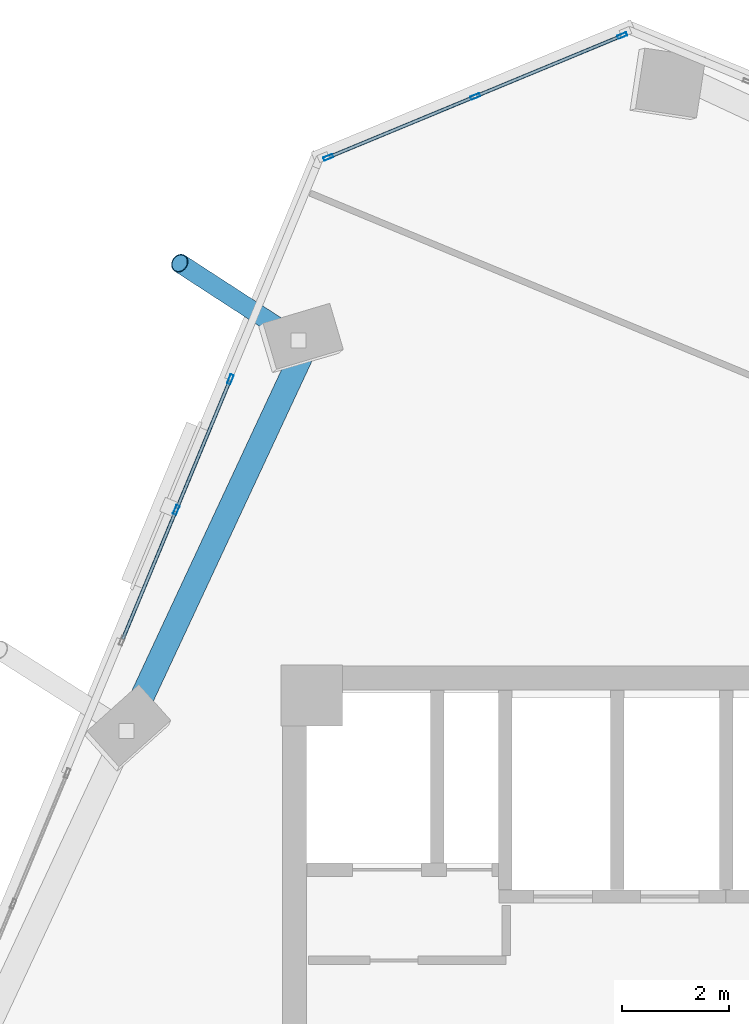
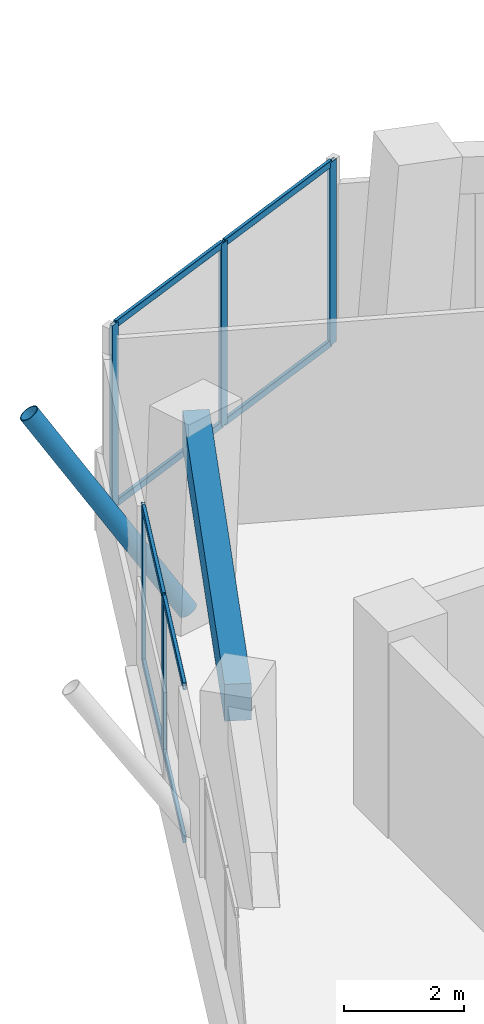
# One storey, part 10 of 22: 14 members, 1 beam, 2 elements without a shape of their own.
"""IFC4 building model written with IfcOpenShell, lengths in metres."""

from ifc_helpers import new_model, si_unit, direction, frame, origin, origin_2d, place, context, subcontext, project, spatial, rectangle, hollow_rectangle, hollow_circle, extrude, source, transform, mapped, material, material_profile, profile_set, type_object, element, aggregate, save


model = new_model("IFC4")

# Units and contexts
model_context = context("Model", 3, precision=1e-05, world=origin(), true_north=direction((0.0, 1.0)))
body_context = subcontext(model_context, "Body", "Model", "MODEL_VIEW")
ifc_project = project(units=[si_unit("LENGTHUNIT", "METRE"), si_unit("AREAUNIT", "SQUARE_METRE"), si_unit("VOLUMEUNIT", "CUBIC_METRE"), si_unit("PLANEANGLEUNIT", "RADIAN"), si_unit("MASSUNIT", "GRAM", prefix="KILO")], contexts=[model_context])

# Site, building, storey
site_placement = place(None, origin())
site = spatial("IfcSite", under=ifc_project, at=site_placement, CompositionType="ELEMENT")
building_placement = place(site_placement, origin())
building = spatial("IfcBuilding", under=site, at=building_placement, Name="Torre Montelarca", CompositionType="ELEMENT")
storey_placement = place(building_placement, frame((0.0, 0.0, 149.800048828125)))
storey = spatial("IfcBuildingStorey", under=building, at=storey_placement, Name="L33", CompositionType="ELEMENT", Elevation=149.800048828125)

# Member
ifc_material_1 = material(Name="Steel ASTM A500 Grade C", Category="steel")
ifc_material_profile_1 = material_profile(ifc_material_1, hollow_circle(Radius=0.177734375, WallThickness=0.015869140625, at=origin_2d()), Name="HSS355.6X15.9", Category="steel")
ifc_profile_set_1 = profile_set([ifc_material_profile_1], Name="Steel ASTM A500 Grade C")
member_type_1 = type_object("IfcMemberType", Name="MB-BR-CHS356-EXT", PredefinedType="BRACE", material=ifc_profile_set_1)
shared_shape_1 = source(origin(), body_context, "Body", "SweptSolid", [
    extrude(hollow_circle(Radius=0.177734375, WallThickness=0.015869140625, at=origin_2d()), origin(), (0.0, 0.0, 1.0), 4.7265625),
])
member_1_placement = place(storey_placement, frame((9.299072265625, 46.10888671875, 0.14990234375), z_axis=(-0.471180533964, 0.305941931886, 0.827277727687), x_axis=(-0.54458108508, -0.838708198227, 0.0)))
element("IfcMember", 1, at=member_1_placement, inside=storey, type_object=member_type_1, Name="L34 Sliding Tray Exterior Diagonal Raker Strut W3", PredefinedType="BRACE", context=body_context, shape_type="MappedRepresentation", body=[
    mapped(shared_shape_1, transform((0.0, 0.0, 0.0), scale=1.0)),
])

# Beam
ifc_material_2 = material(Name="Concrete C55/67", Category="concrete")
ifc_material_profile_2 = material_profile(ifc_material_2, rectangle(XDim=0.449951171875, YDim=0.75, at=origin_2d()), Name="RCB450X750", Category="concrete")
ifc_profile_set_2 = profile_set([ifc_material_profile_2], Name="Concrete C55/67")
beam_type = type_object("IfcBeamType", Name="BM-SP-RC750-EXT", PredefinedType="SPANDREL", material=ifc_profile_set_2)
shared_shape_2 = source(origin(), body_context, "Body", "SweptSolid", [
    extrude(rectangle(XDim=0.449951171875, YDim=0.75, at=origin_2d()), origin(), (0.0, 0.0, 1.0), 8.0),
])
beam_placement = place(storey_placement, frame((6.228759765625, 39.12109375, 3.5849609375), z_axis=(0.422608113797, 0.906312519031, 0.0), x_axis=(-0.906312519031, 0.422608113797, 0.0)))
element("IfcBeam", 2, at=beam_placement, inside=storey, type_object=beam_type, Name="L33 Grid Girder Y 32.0-40.0 at X=4.7", PredefinedType="SPANDREL", context=body_context, shape_type="MappedRepresentation", body=[
    mapped(shared_shape_2, transform((0.0, 0.0, 0.0), scale=1.0)),
])

# Curtain wall, members
ifc_material_3 = material(Name="Insulated low-E laminated glass", Category="glass")
curtain_wall_type = type_object("IfcCurtainWallType", Name="CW-SYS-Z2", PredefinedType="USERDEFINED", material=ifc_material_3)
curtain_wall_1_placement = place(storey_placement, origin())
curtain_wall_1 = element("IfcCurtainWall", 3, at=curtain_wall_1_placement, inside=storey, type_object=curtain_wall_type, Name="L33 Curtain Wall Run CW-T3-L33-E09-B1", ObjectType="UNITISED GLAZING", PredefinedType="USERDEFINED")
ifc_material_4 = material(Name="Anodised aluminium AA 6063-T6", Category="aluminium")
ifc_material_profile_3 = material_profile(ifc_material_4, hollow_rectangle(XDim=0.06494140625, YDim=0.139892578125, WallThickness=0.00390625, InnerFilletRadius=0.00390625, OuterFilletRadius=0.008056640625, at=origin_2d()), Name="ALU65X140X4", Category="aluminium")
ifc_profile_set_3 = profile_set([ifc_material_profile_3], Name="Anodised aluminium AA 6063-T6")
member_type_2 = type_object("IfcMemberType", Name="CWT-ALU140", PredefinedType="USERDEFINED", material=ifc_profile_set_3)
shared_shape_3 = source(origin(), body_context, "Body", "SweptSolid", [
    extrude(hollow_rectangle(XDim=0.06494140625, YDim=0.139892578125, WallThickness=0.00390625, InnerFilletRadius=0.00390625, OuterFilletRadius=0.008056640625, at=origin_2d()), origin(), (0.0, 0.0, 1.0), 2.918701171875),
])
member_2_placement = place(storey_placement, frame((15.3408203125, 51.809814453125, 0.032470703125), z_axis=(-0.92387920118, -0.382684232268, 0.0), x_axis=(0.382684232268, -0.92387920118, 0.0)))
member_2 = element("IfcMember", 4, at=member_2_placement, type_object=member_type_2, Name="CW transom 1.1", ObjectType="TRANSOM", PredefinedType="USERDEFINED", context=body_context, shape_type="MappedRepresentation", body=[
    mapped(shared_shape_3, transform((0.0, 0.0, 0.0), scale=1.0)),
])
member_3_placement = place(storey_placement, frame((15.3408203125, 51.809814453125, 3.6875), z_axis=(-0.92387920118, -0.382684232268, 0.0), x_axis=(0.382684232268, -0.92387920118, 0.0)))
member_3 = element("IfcMember", 5, at=member_3_placement, type_object=member_type_2, Name="CW transom 1.2", ObjectType="TRANSOM", PredefinedType="USERDEFINED", context=body_context, shape_type="MappedRepresentation", body=[
    mapped(shared_shape_3, transform((0.0, 0.0, 0.0), scale=1.0)),
])
member_4_placement = place(storey_placement, frame((12.584228515625, 50.66796875, 0.032470703125), z_axis=(-0.923908773038, -0.382612831859, 0.0), x_axis=(0.382612831859, -0.923908773038, 0.0)))
member_4 = element("IfcMember", 6, at=member_4_placement, type_object=member_type_2, Name="CW transom 2.1", ObjectType="TRANSOM", PredefinedType="USERDEFINED", context=body_context, shape_type="MappedRepresentation", body=[
    mapped(shared_shape_3, transform((0.0, 0.0, 0.0), scale=1.0)),
])
member_5_placement = place(storey_placement, frame((12.584228515625, 50.66796875, 3.6875), z_axis=(-0.923908773038, -0.382612831859, 0.0), x_axis=(0.382612831859, -0.923908773038, 0.0)))
member_5 = element("IfcMember", 7, at=member_5_placement, type_object=member_type_2, Name="CW transom 2.2", ObjectType="TRANSOM", PredefinedType="USERDEFINED", context=body_context, shape_type="MappedRepresentation", body=[
    mapped(shared_shape_3, transform((0.0, 0.0, 0.0), scale=1.0)),
])

curtain_wall_2_placement = place(storey_placement, origin())
curtain_wall_2 = element("IfcCurtainWall", 8, at=curtain_wall_2_placement, inside=storey, type_object=curtain_wall_type, Name="L33 Curtain Wall Run CW-T3-L33-E10-B1", ObjectType="UNITISED GLAZING", PredefinedType="USERDEFINED")
shared_shape_4 = source(origin(), body_context, "Body", "SweptSolid", [
    extrude(hollow_rectangle(XDim=0.06494140625, YDim=0.139892578125, WallThickness=0.00390625, InnerFilletRadius=0.00390625, OuterFilletRadius=0.008056640625, at=origin_2d()), origin(), (0.0, 0.0, 1.0), 2.587890625),
])
member_6_placement = place(storey_placement, frame((8.011474609375, 45.3486328125, 0.032470703125), z_axis=(-0.382651751874, -0.923892654364, 0.0), x_axis=(0.923892654364, -0.382651751874, 0.0)))
member_6 = element("IfcMember", 9, at=member_6_placement, type_object=member_type_2, Name="CW transom 1.1", ObjectType="TRANSOM", PredefinedType="USERDEFINED", context=body_context, shape_type="MappedRepresentation", body=[
    mapped(shared_shape_4, transform((0.0, 0.0, 0.0), scale=1.0)),
])
member_7_placement = place(storey_placement, frame((8.011474609375, 45.3486328125, 3.142333984375), z_axis=(-0.382651751874, -0.923892654364, 0.0), x_axis=(0.923892654364, -0.382651751874, 0.0)))
member_7 = element("IfcMember", 10, at=member_7_placement, type_object=member_type_2, Name="CW transom 1.2", ObjectType="TRANSOM", PredefinedType="USERDEFINED", context=body_context, shape_type="MappedRepresentation", body=[
    mapped(shared_shape_4, transform((0.0, 0.0, 0.0), scale=1.0)),
])
member_8_placement = place(storey_placement, frame((6.996337890625, 42.897705078125, 0.032470703125), z_axis=(-0.382732275861, -0.92385929936, 0.0), x_axis=(0.92385929936, -0.382732275861, 0.0)))
member_8 = element("IfcMember", 11, at=member_8_placement, type_object=member_type_2, Name="CW transom 2.1", ObjectType="TRANSOM", PredefinedType="USERDEFINED", context=body_context, shape_type="MappedRepresentation", body=[
    mapped(shared_shape_4, transform((0.0, 0.0, 0.0), scale=1.0)),
])
member_9_placement = place(storey_placement, frame((6.996337890625, 42.897705078125, 3.142333984375), z_axis=(-0.382732275861, -0.92385929936, 0.0), x_axis=(0.92385929936, -0.382732275861, 0.0)))
member_9 = element("IfcMember", 12, at=member_9_placement, type_object=member_type_2, Name="CW transom 2.2", ObjectType="TRANSOM", PredefinedType="USERDEFINED", context=body_context, shape_type="MappedRepresentation", body=[
    mapped(shared_shape_4, transform((0.0, 0.0, 0.0), scale=1.0)),
])

# Member
ifc_material_profile_4 = material_profile(ifc_material_4, hollow_rectangle(XDim=0.06494140625, YDim=0.179931640625, WallThickness=0.00390625, InnerFilletRadius=0.00390625, OuterFilletRadius=0.008056640625, at=origin_2d()), Name="ALU65X180X4", Category="aluminium")
ifc_profile_set_4 = profile_set([ifc_material_profile_4], Name="Anodised aluminium AA 6063-T6")
member_type_3 = type_object("IfcMemberType", Name="CWM-ALU180", PredefinedType="MULLION", material=ifc_profile_set_4)
shared_shape_5 = source(origin(), body_context, "Body", "SweptSolid", [
    extrude(hollow_rectangle(XDim=0.06494140625, YDim=0.179931640625, WallThickness=0.00390625, InnerFilletRadius=0.00390625, OuterFilletRadius=0.008056640625, at=origin_2d()), origin(), (0.0, 0.0, 1.0), 3.719970703125),
])
member_10_placement = place(storey_placement, frame((15.370849609375, 51.822265625, 0.0), z_axis=(0.0, 0.0, 1.0), x_axis=(0.38267584742, -0.923882674262, 0.0)))
member_10 = element("IfcMember", 13, at=member_10_placement, type_object=member_type_3, Name="CW mullion 1", PredefinedType="MULLION", context=body_context, shape_type="MappedRepresentation", body=[
    mapped(shared_shape_5, transform((0.0, 0.0, 0.0), scale=1.0)),
])

member_11_placement = place(storey_placement, frame((12.6142578125, 50.680419921875, 0.0), z_axis=(0.0, 0.0, 1.0), x_axis=(0.38267584742, -0.923882674262, 0.0)))
member_11 = element("IfcMember", 14, at=member_11_placement, type_object=member_type_3, Name="CW mullion 2", PredefinedType="MULLION", context=body_context, shape_type="MappedRepresentation", body=[
    mapped(shared_shape_5, transform((0.0, 0.0, 0.0), scale=1.0)),
])

member_12_placement = place(storey_placement, frame((9.857666015625, 49.538818359375, 0.0), z_axis=(0.0, 0.0, 1.0), x_axis=(0.38267584742, -0.923882674262, 0.0)))
member_12 = element("IfcMember", 15, at=member_12_placement, type_object=member_type_3, Name="CW mullion 3", PredefinedType="MULLION", context=body_context, shape_type="MappedRepresentation", body=[
    mapped(shared_shape_5, transform((0.0, 0.0, 0.0), scale=1.0)),
])

aggregate(curtain_wall_1, [member_10, member_11, member_12, member_2, member_3, member_4, member_5])

shared_shape_6 = source(origin(), body_context, "Body", "SweptSolid", [
    extrude(hollow_rectangle(XDim=0.06494140625, YDim=0.179931640625, WallThickness=0.00390625, InnerFilletRadius=0.00390625, OuterFilletRadius=0.008056640625, at=origin_2d()), origin(), (0.0, 0.0, 1.0), 3.175048828125),
])
member_13_placement = place(storey_placement, frame((8.02392578125, 45.378662109375, 0.0), z_axis=(0.0, 0.0, 1.0), x_axis=(0.923878629002, -0.382685613622, 0.0)))
member_13 = element("IfcMember", 16, at=member_13_placement, type_object=member_type_3, Name="CW mullion 1", PredefinedType="MULLION", context=body_context, shape_type="MappedRepresentation", body=[
    mapped(shared_shape_6, transform((0.0, 0.0, 0.0), scale=1.0)),
])

member_14_placement = place(storey_placement, frame((7.0087890625, 42.927734375, 0.0), z_axis=(0.0, 0.0, 1.0), x_axis=(0.923878629002, -0.382685613622, 0.0)))
member_14 = element("IfcMember", 17, at=member_14_placement, type_object=member_type_3, Name="CW mullion 2", PredefinedType="MULLION", context=body_context, shape_type="MappedRepresentation", body=[
    mapped(shared_shape_6, transform((0.0, 0.0, 0.0), scale=1.0)),
])

aggregate(curtain_wall_2, [member_13, member_14, member_6, member_7, member_8, member_9])

save(model, "model.ifc")
